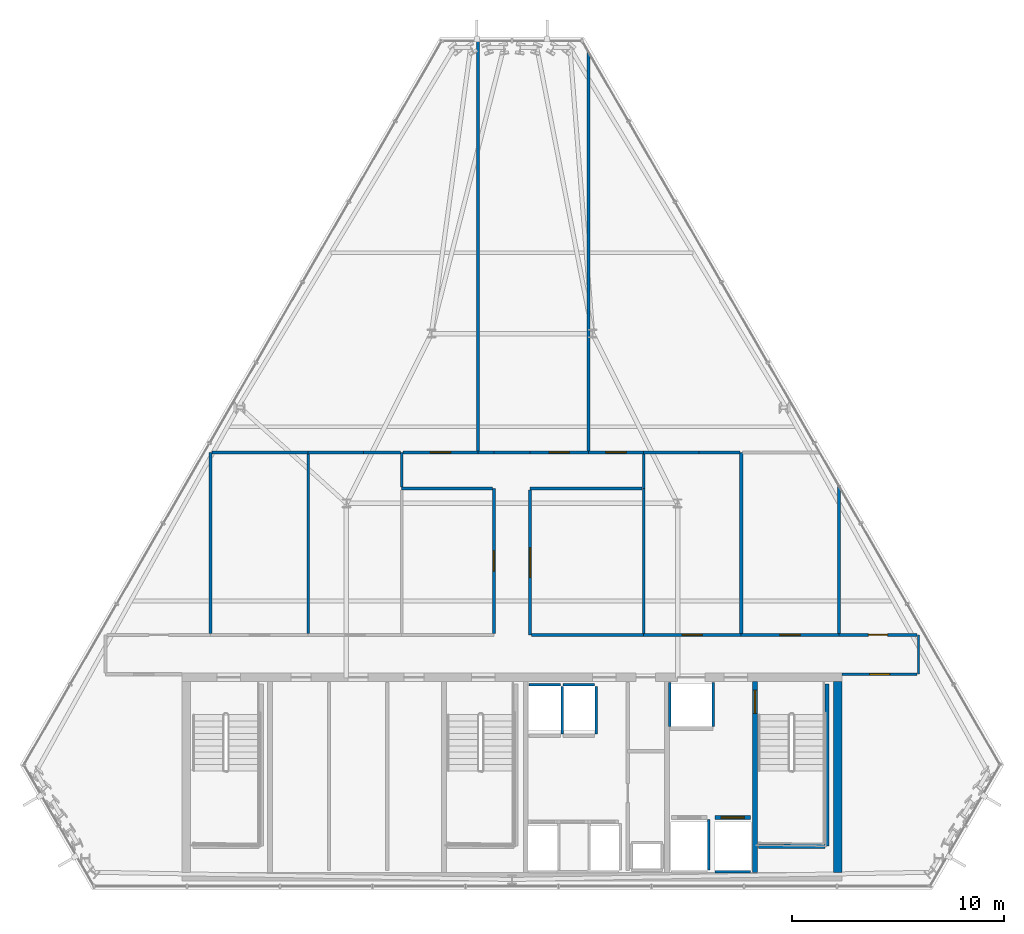
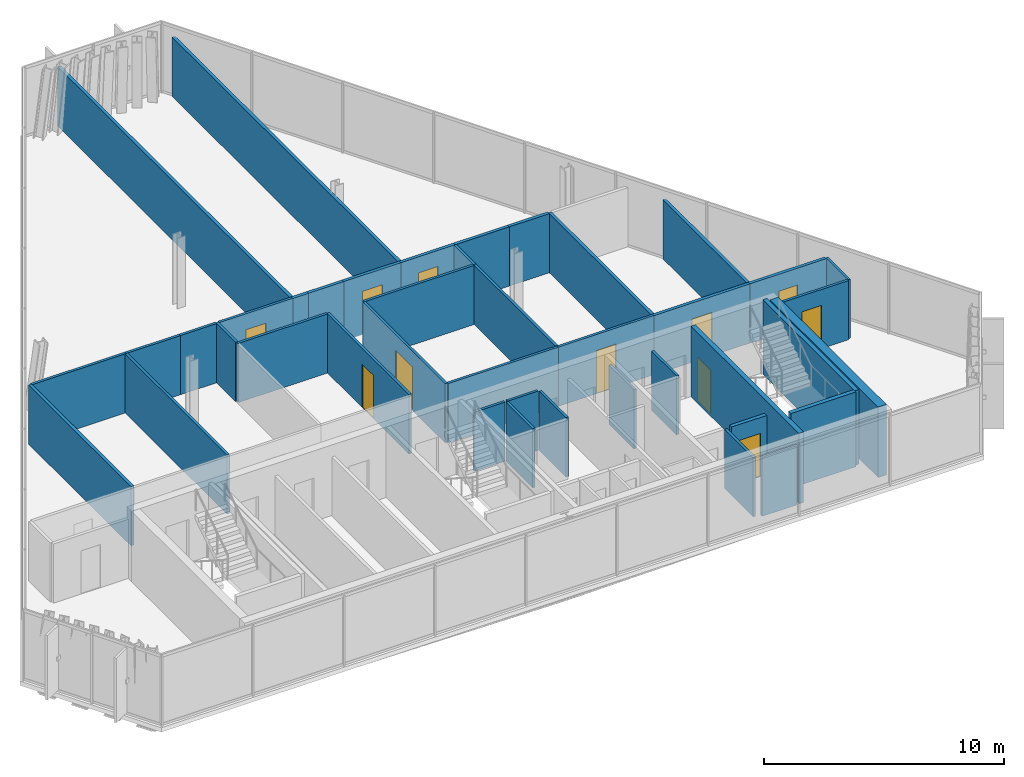
# One storey, part 25 of 29: 42 walls, 11 doors, 11 openings.
"""IFC4 building model written with IfcOpenShell, lengths in metres."""

from ifc_helpers import new_model, si_unit, direction, frame, frame_2d, origin, place, context, subcontext, project, spatial, rectangle, extrude, material, layer, layer_set, type_object, element, fill, save


model = new_model("IFC4")

# Units and contexts
model_context = context("Model", 3, precision=1e-05, world=origin(), true_north=direction((0.0, 1.0)))
body_context = subcontext(model_context, "Body", "Model", "MODEL_VIEW")
ifc_project = project(units=[si_unit("LENGTHUNIT", "METRE"), si_unit("AREAUNIT", "SQUARE_METRE"), si_unit("VOLUMEUNIT", "CUBIC_METRE"), si_unit("PLANEANGLEUNIT", "RADIAN"), si_unit("MASSUNIT", "GRAM", prefix="KILO")], contexts=[model_context])

# Site, building, storey
site_placement = place(None, origin())
site = spatial("IfcSite", under=ifc_project, at=site_placement, CompositionType="ELEMENT")
building_placement = place(site_placement, origin())
building = spatial("IfcBuilding", under=site, at=building_placement, Name="Ndaravel Arena Tower", CompositionType="ELEMENT")
storey_placement = place(building_placement, frame((0.0, 0.0, 248.39990234375)))
storey = spatial("IfcBuildingStorey", under=building, at=storey_placement, Name="L60", CompositionType="ELEMENT", Elevation=248.39990234375)

# Wall, opening, door
ifc_material_1 = material(Name="Concrete C50/60", Category="concrete")
ifc_layer_1 = layer(ifc_material_1, 0.219970703125)
ifc_layer_set_1 = layer_set([ifc_layer_1], Name="Concrete C50/60")
wall_type_1 = type_object("IfcWallType", Name="WALL-CORE-220", PredefinedType="SOLIDWALL", material=ifc_layer_set_1)
wall_1_placement = place(storey_placement, frame((53.449951171875, 5.800048828125, 0.0), z_axis=(0.0, 0.0, 1.0), x_axis=(0.0, 1.0, 0.0)))
wall_1 = element("IfcWall", 1, at=wall_1_placement, inside=storey, type_object=wall_type_1, Name="L60 Core Web Shear Wall 5", PredefinedType="SOLIDWALL", context=body_context, shape_type="SweptSolid", body=[
    extrude(rectangle(XDim=9.0, YDim=0.219970703125, at=frame_2d((4.5, 0.0))), origin(), (0.0, 0.0, 1.0), 3.580078125),
])
opening_1_placement = place(wall_1_placement, frame((7.5, 0.0, 0.0)))
opening_1 = element("IfcOpeningElement", 2, at=opening_1_placement, cuts=wall_1, Name="Opening FD-01", PredefinedType="OPENING", context=body_context, shape_type="SweptSolid", body=[
    extrude(rectangle(XDim=1.10009765625, YDim=2.199951171875, at=frame_2d((0.550048828125, 1.10009765625))), frame((0.0, 0.10986328125, 0.0), z_axis=(0.0, -1.0, 0.0), x_axis=(1.0, 0.0, 0.0)), (0.0, 0.0, 1.0), 0.219970703125),
])
ifc_material_2 = material(Name="Steel S355", Category="steel")
door_type_1 = type_object("IfcDoorType", Name="DT-01-STAIR-1100", OperationType="SINGLE_SWING_LEFT", PredefinedType="DOOR", material=ifc_material_2)
door_1_placement = place(opening_1_placement, origin())
door_1 = element("IfcDoor", 3, at=door_1_placement, inside=storey, type_object=door_type_1, Name="L60 Firefighting Lobby to ST-3 Door", OperationType="SINGLE_SWING_LEFT", OverallHeight=2.199951171875, OverallWidth=1.10009765625, PredefinedType="DOOR", context=body_context, shape_type="SweptSolid", body=[
    extrude(rectangle(XDim=1.10009765625, YDim=2.199951171875, at=frame_2d((0.550048828125, 1.10009765625))), frame((0.0, 0.02490234375, 0.0), z_axis=(0.0, -1.0, 0.0), x_axis=(1.0, 0.0, 0.0)), (0.0, 0.0, 1.0), 0.050048828125),
])
fill(opening_1, door_1)

# Walls
ifc_material_3 = material(Name="Concrete C50/60", Category="concrete")
ifc_layer_2 = layer(ifc_material_3, 0.39990234375)
ifc_layer_set_2 = layer_set([ifc_layer_2], Name="Concrete C50/60")
wall_type_2 = type_object("IfcWallType", Name="WALL-CORE-400", PredefinedType="SOLIDWALL", material=ifc_layer_set_2)
wall_2_placement = place(storey_placement, frame((57.35009765625, 5.800048828125, 0.0), z_axis=(0.0, 0.0, 1.0), x_axis=(0.0, 1.0, 0.0)))
element("IfcWall", 4, at=wall_2_placement, inside=storey, type_object=wall_type_2, Name="L60 Core East Shear Wall", PredefinedType="SOLIDWALL", context=body_context, shape_type="SweptSolid", body=[
    extrude(rectangle(XDim=9.0, YDim=0.39990234375, at=frame_2d((4.5, 0.0))), origin(), (0.0, 0.0, 1.0), 3.580078125),
])
ifc_material_4 = material(Name="Timber", Category="wood")
ifc_layer_3 = layer(ifc_material_4, 0.10009765625)
ifc_layer_set_3 = layer_set([ifc_layer_3], Name="Timber")
wall_type_3 = type_object("IfcWallType", Name="WALL-MOVABLE-100", PredefinedType="MOVABLE", material=ifc_layer_set_3)
wall_3_placement = place(storey_placement, frame((61.154052734375, 17.0, 0.0), z_axis=(0.0, 0.0, 1.0), x_axis=(0.0, -1.0, 0.0)))
element("IfcWall", 5, at=wall_3_placement, inside=storey, type_object=wall_type_3, Name="L60 Interior Partition 001", PredefinedType="MOVABLE", context=body_context, shape_type="SweptSolid", body=[
    extrude(rectangle(XDim=1.85009765625, YDim=0.10009765625, at=frame_2d((0.925048828125, 0.0))), origin(), (0.0, 0.0, 1.0), 3.010498046875),
])

# Wall, opening, door
ifc_material_5 = material(Name="Gypsum", Category="gypsum")
ifc_layer_4 = layer(ifc_material_5, 0.125)
ifc_layer_set_4 = layer_set([ifc_layer_4], Name="Gypsum")
wall_type_4 = type_object("IfcWallType", Name="WALL-PART-125", PredefinedType="PARTITIONING", material=ifc_layer_set_4)
wall_4_placement = place(storey_placement, frame((61.089111328125, 15.14990234375, 0.0), z_axis=(0.0, 0.0, 1.0), x_axis=(-1.0, 0.0, 0.0)))
wall_4 = element("IfcWall", 6, at=wall_4_placement, inside=storey, type_object=wall_type_4, Name="L60 Interior Partition 002", PredefinedType="PARTITIONING", context=body_context, shape_type="SweptSolid", body=[
    extrude(rectangle(XDim=3.5390625, YDim=0.125, at=frame_2d((1.76953125, 0.0))), origin(), (0.0, 0.0, 1.0), 3.010498046875),
])
opening_2_placement = place(wall_4_placement, frame((1.29443359375, 0.0, 0.0)))
opening_2 = element("IfcOpeningElement", 7, at=opening_2_placement, cuts=wall_4, Name="Opening ID-01", PredefinedType="OPENING", context=body_context, shape_type="SweptSolid", body=[
    extrude(rectangle(XDim=0.949951171875, YDim=2.199951171875, at=frame_2d((0.47509765625, 1.10009765625))), frame((0.0, 0.0625, 0.0), z_axis=(0.0, -1.0, 0.0), x_axis=(1.0, 0.0, 0.0)), (0.0, 0.0, 1.0), 0.125),
])
ifc_material_6 = material(Name="Timber", Category="wood")
door_type_2 = type_object("IfcDoorType", Name="DT-03-OFFICE-950", OperationType="SINGLE_SWING_LEFT", PredefinedType="DOOR", material=ifc_material_6)
door_2_placement = place(opening_2_placement, origin())
door_2 = element("IfcDoor", 8, at=door_2_placement, inside=storey, type_object=door_type_2, Name="L60 Quiet Reading Library Door", OperationType="SINGLE_SWING_RIGHT", OverallHeight=2.199951171875, OverallWidth=0.949951171875, PredefinedType="DOOR", context=body_context, shape_type="SweptSolid", body=[
    extrude(rectangle(XDim=0.949951171875, YDim=2.199951171875, at=frame_2d((0.47509765625, 1.10009765625))), frame((0.0, 0.02490234375, 0.0), z_axis=(0.0, -1.0, 0.0), x_axis=(1.0, 0.0, 0.0)), (0.0, 0.0, 1.0), 0.050048828125),
])
fill(opening_2, door_2)

wall_5_placement = place(storey_placement, frame((41.14990234375, 17.06494140625, 0.0), z_axis=(0.0, 0.0, 1.0), x_axis=(0.0, 1.0, 0.0)))
wall_5 = element("IfcWall", 9, at=wall_5_placement, inside=storey, type_object=wall_type_4, Name="L60 Interior Partition 009", PredefinedType="PARTITIONING", context=body_context, shape_type="SweptSolid", body=[
    extrude(rectangle(XDim=6.8349609375, YDim=0.125, at=frame_2d((3.41748046875, 0.0))), origin(), (0.0, 0.0, 1.0), 3.010498046875),
])
opening_3_placement = place(wall_5_placement, frame((2.9423828125, 0.0, 0.0)))
opening_3 = element("IfcOpeningElement", 10, at=opening_3_placement, cuts=wall_5, Name="Opening ID-01", PredefinedType="OPENING", context=body_context, shape_type="SweptSolid", body=[
    extrude(rectangle(XDim=0.949951171875, YDim=2.199951171875, at=frame_2d((0.47509765625, 1.10009765625))), frame((0.0, 0.0625, 0.0), z_axis=(0.0, -1.0, 0.0), x_axis=(1.0, 0.0, 0.0)), (0.0, 0.0, 1.0), 0.125),
])
door_3_placement = place(opening_3_placement, origin())
door_3 = element("IfcDoor", 11, at=door_3_placement, inside=storey, type_object=door_type_2, Name="L60 Open Plan Workplace Door", OperationType="SINGLE_SWING_LEFT", OverallHeight=2.199951171875, OverallWidth=0.949951171875, PredefinedType="DOOR", context=body_context, shape_type="SweptSolid", body=[
    extrude(rectangle(XDim=0.949951171875, YDim=2.199951171875, at=frame_2d((0.47509765625, 1.10009765625))), frame((0.0, 0.02490234375, 0.0), z_axis=(0.0, -1.0, 0.0), x_axis=(1.0, 0.0, 0.0)), (0.0, 0.0, 1.0), 0.050048828125),
])
fill(opening_3, door_3)

# Walls
wall_6_placement = place(storey_placement, frame((41.0849609375, 23.89990234375, 0.0), z_axis=(0.0, 0.0, 1.0), x_axis=(-1.0, 0.0, 0.0)))
element("IfcWall", 12, at=wall_6_placement, inside=storey, type_object=wall_type_4, Name="L60 Interior Partition 010", PredefinedType="PARTITIONING", context=body_context, shape_type="SweptSolid", body=[
    extrude(rectangle(XDim=4.284912109375, YDim=0.125, at=frame_2d((2.142578125, 0.0))), origin(), (0.0, 0.0, 1.0), 3.010498046875),
])
wall_7_placement = place(storey_placement, frame((36.800048828125, 23.965087890625, 0.0), z_axis=(0.0, 0.0, 1.0), x_axis=(0.0, 1.0, 0.0)))
element("IfcWall", 13, at=wall_7_placement, inside=storey, type_object=wall_type_4, Name="L60 Interior Partition 011", PredefinedType="PARTITIONING", context=body_context, shape_type="SweptSolid", body=[
    extrude(rectangle(XDim=1.635009765625, YDim=0.125, at=frame_2d((0.8173828125, 0.0))), origin(), (0.0, 0.0, 1.0), 3.010498046875),
])

# Wall, opening, door
wall_8_placement = place(storey_placement, frame((36.864990234375, 25.60009765625, 0.0), z_axis=(0.0, 0.0, 1.0), x_axis=(1.0, 0.0, 0.0)))
wall_8 = element("IfcWall", 14, at=wall_8_placement, inside=storey, type_object=wall_type_4, Name="L60 Interior Partition 012", PredefinedType="PARTITIONING", context=body_context, shape_type="SweptSolid", body=[
    extrude(rectangle(XDim=3.534912109375, YDim=0.125, at=frame_2d((1.767578125, 0.0))), origin(), (0.0, 0.0, 1.0), 3.010498046875),
])
opening_4_placement = place(wall_8_placement, frame((1.29248046875, 0.0, 0.0)))
opening_4 = element("IfcOpeningElement", 15, at=opening_4_placement, cuts=wall_8, Name="Opening ID-01", PredefinedType="OPENING", context=body_context, shape_type="SweptSolid", body=[
    extrude(rectangle(XDim=0.949951171875, YDim=2.199951171875, at=frame_2d((0.47509765625, 1.10009765625))), frame((0.0, 0.0625, 0.0), z_axis=(0.0, -1.0, 0.0), x_axis=(1.0, 0.0, 0.0)), (0.0, 0.0, 1.0), 0.125),
])
door_4_placement = place(opening_4_placement, origin())
door_4 = element("IfcDoor", 16, at=door_4_placement, inside=storey, type_object=door_type_2, Name="L60 Design Workshop 4 Door", OperationType="SINGLE_SWING_RIGHT", OverallHeight=2.199951171875, OverallWidth=0.949951171875, PredefinedType="DOOR", context=body_context, shape_type="SweptSolid", body=[
    extrude(rectangle(XDim=0.949951171875, YDim=2.199951171875, at=frame_2d((0.47509765625, 1.10009765625))), frame((0.0, 0.02490234375, 0.0), z_axis=(0.0, -1.0, 0.0), x_axis=(1.0, 0.0, 0.0)), (0.0, 0.0, 1.0), 0.050048828125),
])
fill(opening_4, door_4)

# Walls
wall_9_placement = place(storey_placement, frame((48.199951171875, 25.534912109375, 0.0), z_axis=(0.0, 0.0, 1.0), x_axis=(0.0, -1.0, 0.0)))
element("IfcWall", 17, at=wall_9_placement, inside=storey, type_object=wall_type_4, Name="L60 Interior Partition 017", PredefinedType="PARTITIONING", context=body_context, shape_type="SweptSolid", body=[
    extrude(rectangle(XDim=1.635009765625, YDim=0.125, at=frame_2d((0.8173828125, 0.0))), origin(), (0.0, 0.0, 1.0), 3.010498046875),
])
wall_10_placement = place(storey_placement, frame((48.135009765625, 23.89990234375, 0.0), z_axis=(0.0, 0.0, 1.0), x_axis=(-1.0, 0.0, 0.0)))
element("IfcWall", 18, at=wall_10_placement, inside=storey, type_object=wall_type_4, Name="L60 Interior Partition 018", PredefinedType="PARTITIONING", context=body_context, shape_type="SweptSolid", body=[
    extrude(rectangle(XDim=5.284912109375, YDim=0.125, at=frame_2d((2.642578125, 0.0))), origin(), (0.0, 0.0, 1.0), 3.010498046875),
])

# Wall, opening, door
wall_11_placement = place(storey_placement, frame((42.85009765625, 23.8349609375, 0.0), z_axis=(0.0, 0.0, 1.0), x_axis=(0.0, -1.0, 0.0)))
wall_11 = element("IfcWall", 19, at=wall_11_placement, inside=storey, type_object=wall_type_4, Name="L60 Interior Partition 019", PredefinedType="PARTITIONING", context=body_context, shape_type="SweptSolid", body=[
    extrude(rectangle(XDim=6.8349609375, YDim=0.125, at=frame_2d((3.41748046875, 0.0))), origin(), (0.0, 0.0, 1.0), 3.010498046875),
])
opening_5_placement = place(wall_11_placement, frame((2.717529296875, 0.0, 0.0)))
opening_5 = element("IfcOpeningElement", 20, at=opening_5_placement, cuts=wall_11, Name="Opening ID-02", PredefinedType="OPENING", context=body_context, shape_type="SweptSolid", body=[
    extrude(rectangle(XDim=1.39990234375, YDim=2.199951171875, at=frame_2d((0.699951171875, 1.10009765625))), frame((0.0, 0.0625, 0.0), z_axis=(0.0, -1.0, 0.0), x_axis=(1.0, 0.0, 0.0)), (0.0, 0.0, 1.0), 0.125),
])
ifc_material_7 = material(Name="Timber", Category="wood")
door_type_3 = type_object("IfcDoorType", Name="DT-04-SUITE-1400", OperationType="DOUBLE_DOOR_SINGLE_SWING", PredefinedType="DOOR", material=ifc_material_7)
door_5_placement = place(opening_5_placement, origin())
door_5 = element("IfcDoor", 21, at=door_5_placement, inside=storey, type_object=door_type_3, Name="L60 Visitor Reception Desk Door", OperationType="SINGLE_SWING_RIGHT", OverallHeight=2.199951171875, OverallWidth=1.39990234375, PredefinedType="DOOR", context=body_context, shape_type="SweptSolid", body=[
    extrude(rectangle(XDim=1.39990234375, YDim=2.199951171875, at=frame_2d((0.699951171875, 1.10009765625))), frame((0.0, 0.02490234375, 0.0), z_axis=(0.0, -1.0, 0.0), x_axis=(1.0, 0.0, 0.0)), (0.0, 0.0, 1.0), 0.050048828125),
])
fill(opening_5, door_5)

# Wall
wall_12_placement = place(storey_placement, frame((42.9150390625, 17.0, 0.0), z_axis=(0.0, 0.0, 1.0), x_axis=(1.0, 0.0, 0.0)))
element("IfcWall", 22, at=wall_12_placement, inside=storey, type_object=wall_type_4, Name="L60 Interior Partition 020", PredefinedType="PARTITIONING", context=body_context, shape_type="SweptSolid", body=[
    extrude(rectangle(XDim=5.284912109375, YDim=0.125, at=frame_2d((2.642578125, 0.0))), origin(), (0.0, 0.0, 1.0), 3.010498046875),
])

# Wall, opening, door
wall_13_placement = place(storey_placement, frame((48.199951171875, 17.0, 0.0), z_axis=(0.0, 0.0, 1.0), x_axis=(1.0, 0.0, 0.0)))
wall_13 = element("IfcWall", 23, at=wall_13_placement, inside=storey, type_object=wall_type_4, Name="L60 Interior Partition 021", PredefinedType="PARTITIONING", context=body_context, shape_type="SweptSolid", body=[
    extrude(rectangle(XDim=4.60009765625, YDim=0.125, at=frame_2d((2.300048828125, 0.0))), origin(), (0.0, 0.0, 1.0), 3.010498046875),
])
opening_6_placement = place(wall_13_placement, frame((1.824951171875, 0.0, 0.0)))
opening_6 = element("IfcOpeningElement", 24, at=opening_6_placement, cuts=wall_13, Name="Opening ID-01", PredefinedType="OPENING", context=body_context, shape_type="SweptSolid", body=[
    extrude(rectangle(XDim=0.949951171875, YDim=2.199951171875, at=frame_2d((0.47509765625, 1.10009765625))), frame((0.0, 0.0625, 0.0), z_axis=(0.0, -1.0, 0.0), x_axis=(1.0, 0.0, 0.0)), (0.0, 0.0, 1.0), 0.125),
])
door_6_placement = place(opening_6_placement, origin())
door_6 = element("IfcDoor", 25, at=door_6_placement, inside=storey, type_object=door_type_2, Name="L60 Media Cinema Room 3 Door", OperationType="SINGLE_SWING_RIGHT", OverallHeight=2.199951171875, OverallWidth=0.949951171875, PredefinedType="DOOR", context=body_context, shape_type="SweptSolid", body=[
    extrude(rectangle(XDim=0.949951171875, YDim=2.199951171875, at=frame_2d((0.47509765625, 1.10009765625))), frame((0.0, 0.02490234375, 0.0), z_axis=(0.0, -1.0, 0.0), x_axis=(1.0, 0.0, 0.0)), (0.0, 0.0, 1.0), 0.050048828125),
])
fill(opening_6, door_6)

# Walls
wall_14_placement = place(storey_placement, frame((48.199951171875, 23.89990234375, 0.0), z_axis=(0.0, 0.0, 1.0), x_axis=(0.0, -1.0, 0.0)))
element("IfcWall", 26, at=wall_14_placement, inside=storey, type_object=wall_type_4, Name="L60 Interior Partition 027", PredefinedType="PARTITIONING", context=body_context, shape_type="SweptSolid", body=[
    extrude(rectangle(XDim=6.8349609375, YDim=0.125, at=frame_2d((3.41748046875, 0.0))), origin(), (0.0, 0.0, 1.0), 3.010498046875),
])
wall_15_placement = place(storey_placement, frame((27.864990234375, 25.60009765625, 0.0), z_axis=(0.0, 0.0, 1.0), x_axis=(1.0, 0.0, 0.0)))
element("IfcWall", 27, at=wall_15_placement, inside=storey, type_object=wall_type_4, Name="L60 Interior Partition 030", PredefinedType="PARTITIONING", context=body_context, shape_type="SweptSolid", body=[
    extrude(rectangle(XDim=4.534912109375, YDim=0.125, at=frame_2d((2.267578125, 0.0))), origin(), (0.0, 0.0, 1.0), 3.010498046875),
])
wall_16_placement = place(storey_placement, frame((32.39990234375, 25.534912109375, 0.0), z_axis=(0.0, 0.0, 1.0), x_axis=(0.0, -1.0, 0.0)))
element("IfcWall", 28, at=wall_16_placement, inside=storey, type_object=wall_type_4, Name="L60 Interior Partition 031", PredefinedType="PARTITIONING", context=body_context, shape_type="SweptSolid", body=[
    extrude(rectangle(XDim=8.469970703125, YDim=0.125, at=frame_2d((4.23486328125, 0.0))), origin(), (0.0, 0.0, 1.0), 3.010498046875),
])
wall_17_placement = place(storey_placement, frame((32.39990234375, 25.60009765625, 0.0), z_axis=(0.0, 0.0, 1.0), x_axis=(1.0, 0.0, 0.0)))
element("IfcWall", 29, at=wall_17_placement, inside=storey, type_object=wall_type_4, Name="L60 Interior Partition 032", PredefinedType="PARTITIONING", context=body_context, shape_type="SweptSolid", body=[
    extrude(rectangle(XDim=2.60009765625, YDim=0.125, at=frame_2d((1.300048828125, 0.0))), origin(), (0.0, 0.0, 1.0), 3.010498046875),
])
wall_18_placement = place(storey_placement, frame((35.0, 25.60009765625, 0.0), z_axis=(0.0, 0.0, 1.0), x_axis=(1.0, 0.0, 0.0)))
element("IfcWall", 30, at=wall_18_placement, inside=storey, type_object=wall_type_4, Name="L60 Interior Partition 033", PredefinedType="PARTITIONING", context=body_context, shape_type="SweptSolid", body=[
    extrude(rectangle(XDim=1.735107421875, YDim=0.125, at=frame_2d((0.86767578125, 0.0))), origin(), (0.0, 0.0, 1.0), 3.010498046875),
])
ifc_material_8 = material(Name="Concrete C40/50", Category="concrete")
ifc_layer_5 = layer(ifc_material_8, 0.1201171875)
ifc_layer_set_5 = layer_set([ifc_layer_5], Name="Concrete C40/50")
wall_type_5 = type_object("IfcWallType", Name="WALL-SHAFT-120", PredefinedType="SOLIDWALL", material=ifc_layer_set_5)
wall_19_placement = place(storey_placement, frame((42.804931640625, 14.659912109375, 0.0), z_axis=(0.0, 0.0, 1.0), x_axis=(1.0, 0.0, 0.0)))
element("IfcWall", 31, at=wall_19_placement, inside=storey, type_object=wall_type_5, Name="L60 PL-OBS1 Shaft Rear Wall", PredefinedType="SOLIDWALL", context=body_context, shape_type="SweptSolid", body=[
    extrude(rectangle(XDim=1.489990234375, YDim=0.1201171875, at=frame_2d((0.7451171875, 0.0))), origin(), (0.0, 0.0, 1.0), 3.010498046875),
])
wall_20_placement = place(storey_placement, frame((44.375, 12.340087890625, 0.0), z_axis=(0.0, 0.0, 1.0), x_axis=(0.0, 1.0, 0.0)))
element("IfcWall", 32, at=wall_20_placement, inside=storey, type_object=wall_type_5, Name="L60 PL-OBS1 Shaft Side R Wall", PredefinedType="SOLIDWALL", context=body_context, shape_type="SweptSolid", body=[
    extrude(rectangle(XDim=2.22998046875, YDim=0.1201171875, at=frame_2d((1.114990234375, 0.0))), origin(), (0.0, 0.0, 1.0), 3.010498046875),
])
wall_21_placement = place(storey_placement, frame((44.405029296875, 14.659912109375, 0.0), z_axis=(0.0, 0.0, 1.0), x_axis=(1.0, 0.0, 0.0)))
element("IfcWall", 33, at=wall_21_placement, inside=storey, type_object=wall_type_5, Name="L60 PL-OBS2 Shaft Rear Wall", PredefinedType="SOLIDWALL", context=body_context, shape_type="SweptSolid", body=[
    extrude(rectangle(XDim=1.489990234375, YDim=0.1201171875, at=frame_2d((0.7451171875, 0.0))), origin(), (0.0, 0.0, 1.0), 3.010498046875),
])
wall_22_placement = place(storey_placement, frame((45.97509765625, 12.340087890625, 0.0), z_axis=(0.0, 0.0, 1.0), x_axis=(0.0, 1.0, 0.0)))
element("IfcWall", 34, at=wall_22_placement, inside=storey, type_object=wall_type_5, Name="L60 PL-OBS2 Shaft Side R Wall", PredefinedType="SOLIDWALL", context=body_context, shape_type="SweptSolid", body=[
    extrude(rectangle(XDim=2.22998046875, YDim=0.1201171875, at=frame_2d((1.114990234375, 0.0))), origin(), (0.0, 0.0, 1.0), 3.010498046875),
])
wall_23_placement = place(storey_placement, frame((51.27490234375, 5.929931640625, 0.0), z_axis=(0.0, 0.0, 1.0), x_axis=(0.0, 1.0, 0.0)))
element("IfcWall", 35, at=wall_23_placement, inside=storey, type_object=wall_type_5, Name="L60 FFL-1 Shaft Side R Wall", PredefinedType="SOLIDWALL", context=body_context, shape_type="SweptSolid", body=[
    extrude(rectangle(XDim=2.380126953125, YDim=0.1201171875, at=frame_2d((1.18994140625, 0.0))), origin(), (0.0, 0.0, 1.0), 3.010498046875),
])
wall_24_placement = place(storey_placement, frame((51.554931640625, 5.840087890625, 0.0), z_axis=(0.0, 0.0, 1.0), x_axis=(1.0, 0.0, 0.0)))
element("IfcWall", 36, at=wall_24_placement, inside=storey, type_object=wall_type_5, Name="L60 FFL-2 Shaft Rear Wall", PredefinedType="SOLIDWALL", context=body_context, shape_type="SweptSolid", body=[
    extrude(rectangle(XDim=1.690185546875, YDim=0.1201171875, at=frame_2d((0.84521484375, 0.0))), origin(), (0.0, 0.0, 1.0), 3.010498046875),
])
for number, where, z_axis, x_axis, name in (
    (37, (49.43994140625, 12.68994140625, 0.0), (0.0, 0.0, 1.0), (0.0, 1.0, 0.0), "L60 SVL-1 Shaft W Wall"),
    (38, (51.47998046875, 12.68994140625, 0.0), (0.0, 0.0, 1.0), (0.0, 1.0, 0.0), "L60 SVL-1 Shaft E Wall"),
):
    element("IfcWall", number, at=place(storey_placement, frame(where, z_axis=z_axis, x_axis=x_axis)), inside=storey, type_object=wall_type_5, Name=name, PredefinedType="SOLIDWALL", context=body_context, shape_type="SweptSolid", body=[
        extrude(rectangle(XDim=2.070068359375, YDim=0.1201171875, at=frame_2d((1.03515625, 0.0))), origin(), (0.0, 0.0, 1.0), 3.010498046875),
    ])
ifc_material_9 = material(Name="Concrete C40/50", Category="concrete")
ifc_layer_6 = layer(ifc_material_9, 0.199951171875)
ifc_layer_set_6 = layer_set([ifc_layer_6], Name="Concrete C40/50")
wall_type_6 = type_object("IfcWallType", Name="WALL-SHAFT-200", PredefinedType="SOLIDWALL", material=ifc_layer_set_6)
wall_25_placement = place(storey_placement, frame((56.840087890625, 14.699951171875, 0.0), z_axis=(0.0, 0.0, 1.0), x_axis=(0.0, -1.0, 0.0)))
element("IfcWall", 39, at=wall_25_placement, inside=storey, type_object=wall_type_6, Name="L60 ST-3 Structural Shaft Wall Right", PredefinedType="SOLIDWALL", context=body_context, shape_type="SweptSolid", body=[
    extrude(rectangle(XDim=7.64990234375, YDim=0.199951171875, at=frame_2d((3.824951171875, 0.0))), origin(), (0.0, 0.0, 1.0), 3.800048828125),
])
wall_26_placement = place(storey_placement, frame((53.6201171875, 7.050048828125, 0.0), z_axis=(0.0, 0.0, 1.0), x_axis=(1.0, 0.0, 0.0)))
element("IfcWall", 40, at=wall_26_placement, inside=storey, type_object=wall_type_6, Name="L60 ST-3 Structural Shaft Wall Far", PredefinedType="SOLIDWALL", context=body_context, shape_type="SweptSolid", body=[
    extrude(rectangle(XDim=3.114990234375, YDim=0.199951171875, at=frame_2d((1.5576171875, 0.0))), origin(), (0.0, 0.0, 1.0), 3.800048828125),
])

# Wall, opening, door
wall_27_placement = place(storey_placement, frame((51.554931640625, 8.39990234375, 0.0), z_axis=(0.0, 0.0, 1.0), x_axis=(1.0, 0.0, 0.0)))
wall_27 = element("IfcWall", 41, at=wall_27_placement, inside=storey, type_object=wall_type_6, Name="L60 FFL-2 Shaft Landing Wall", PredefinedType="SOLIDWALL", context=body_context, shape_type="SweptSolid", body=[
    extrude(rectangle(XDim=1.690185546875, YDim=0.179931640625, at=frame_2d((0.84521484375, 0.0))), origin(), (0.0, 0.0, 1.0), 3.010498046875),
])
opening_7_placement = place(wall_27_placement, frame((0.294921875, 0.0, 0.0)))
opening_7 = element("IfcOpeningElement", 42, at=opening_7_placement, cuts=wall_27, Name="Opening LD-01", PredefinedType="OPENING", context=body_context, shape_type="SweptSolid", body=[
    extrude(rectangle(XDim=1.10009765625, YDim=2.199951171875, at=frame_2d((0.550048828125, 1.10009765625))), frame((0.0, 0.08984375, 0.0), z_axis=(0.0, -1.0, 0.0), x_axis=(1.0, 0.0, 0.0)), (0.0, 0.0, 1.0), 0.179931640625),
])
ifc_material_10 = material(Name="Steel S355", Category="steel")
door_type_4 = type_object("IfcDoorType", Name="DT-06-LIFT-1100", OperationType="SLIDING_TO_LEFT", PredefinedType="DOOR", material=ifc_material_10)
door_7_placement = place(opening_7_placement, origin())
door_7 = element("IfcDoor", 43, at=door_7_placement, inside=storey, type_object=door_type_4, Name="L60 Lift FFL-2 Sliding Landing Door", OperationType="SLIDING_TO_LEFT", OverallHeight=2.199951171875, OverallWidth=1.10009765625, PredefinedType="DOOR", context=body_context, shape_type="SweptSolid", body=[
    extrude(rectangle(XDim=1.10009765625, YDim=2.199951171875, at=frame_2d((0.550048828125, 1.10009765625))), frame((0.0, 0.02490234375, 0.0), z_axis=(0.0, -1.0, 0.0), x_axis=(1.0, 0.0, 0.0)), (0.0, 0.0, 1.0), 0.050048828125),
])
fill(opening_7, door_7)

# Walls
ifc_material_11 = material(Name="Masonry", Category="masonry")
ifc_layer_7 = layer(ifc_material_11, 0.14990234375)
ifc_layer_set_7 = layer_set([ifc_layer_7], Name="Masonry")
wall_type_7 = type_object("IfcWallType", Name="WALL-WET-150", PredefinedType="PARTITIONING", material=ifc_layer_set_7)
wall_28_placement = place(storey_placement, frame((40.39990234375, 25.60009765625, 0.0), z_axis=(0.0, 0.0, 1.0), x_axis=(1.0, 0.0, 0.0)))
element("IfcWall", 44, at=wall_28_placement, inside=storey, type_object=wall_type_7, Name="L60 Interior Partition 013", PredefinedType="PARTITIONING", context=body_context, shape_type="SweptSolid", body=[
    extrude(rectangle(XDim=0.75, YDim=0.14990234375, at=frame_2d((0.375, 0.0))), origin(), (0.0, 0.0, 1.0), 3.010498046875),
])
wall_29_placement = place(storey_placement, frame((41.14990234375, 25.60009765625, 0.0), z_axis=(0.0, 0.0, 1.0), x_axis=(1.0, 0.0, 0.0)))
element("IfcWall", 45, at=wall_29_placement, inside=storey, type_object=wall_type_7, Name="L60 Interior Partition 014", PredefinedType="PARTITIONING", context=body_context, shape_type="SweptSolid", body=[
    extrude(rectangle(XDim=1.7001953125, YDim=0.14990234375, at=frame_2d((0.85009765625, 0.0))), origin(), (0.0, 0.0, 1.0), 3.010498046875),
])

# Wall, opening, door
wall_30_placement = place(storey_placement, frame((42.85009765625, 25.60009765625, 0.0), z_axis=(0.0, 0.0, 1.0), x_axis=(1.0, 0.0, 0.0)))
wall_30 = element("IfcWall", 46, at=wall_30_placement, inside=storey, type_object=wall_type_7, Name="L60 Interior Partition 015", PredefinedType="PARTITIONING", context=body_context, shape_type="SweptSolid", body=[
    extrude(rectangle(XDim=2.75, YDim=0.14990234375, at=frame_2d((1.375, 0.0))), origin(), (0.0, 0.0, 1.0), 3.010498046875),
])
opening_8_placement = place(wall_30_placement, frame((0.89990234375, 0.0, 0.0)))
opening_8 = element("IfcOpeningElement", 47, at=opening_8_placement, cuts=wall_30, Name="Opening FD-03", PredefinedType="OPENING", context=body_context, shape_type="SweptSolid", body=[
    extrude(rectangle(XDim=0.949951171875, YDim=2.199951171875, at=frame_2d((0.47509765625, 1.10009765625))), frame((0.0, 0.074951171875, 0.0), z_axis=(0.0, -1.0, 0.0), x_axis=(1.0, 0.0, 0.0)), (0.0, 0.0, 1.0), 0.14990234375),
])
ifc_material_12 = material(Name="Steel S355", Category="steel")
door_type_5 = type_object("IfcDoorType", Name="DT-11-CORE-950", OperationType="SINGLE_SWING_LEFT", PredefinedType="DOOR", material=ifc_material_12)
door_8_placement = place(opening_8_placement, origin())
door_8 = element("IfcDoor", 48, at=door_8_placement, inside=storey, type_object=door_type_5, Name="L60 Staff Espresso Kitchen 5 Door", OperationType="SINGLE_SWING_LEFT", OverallHeight=2.199951171875, OverallWidth=0.949951171875, PredefinedType="DOOR", context=body_context, shape_type="SweptSolid", body=[
    extrude(rectangle(XDim=0.949951171875, YDim=2.199951171875, at=frame_2d((0.47509765625, 1.10009765625))), frame((0.0, 0.02490234375, 0.0), z_axis=(0.0, -1.0, 0.0), x_axis=(1.0, 0.0, 0.0)), (0.0, 0.0, 1.0), 0.050048828125),
])
fill(opening_8, door_8)

wall_31_placement = place(storey_placement, frame((45.60009765625, 25.60009765625, 0.0), z_axis=(0.0, 0.0, 1.0), x_axis=(1.0, 0.0, 0.0)))
wall_31 = element("IfcWall", 49, at=wall_31_placement, inside=storey, type_object=wall_type_7, Name="L60 Interior Partition 016", PredefinedType="PARTITIONING", context=body_context, shape_type="SweptSolid", body=[
    extrude(rectangle(XDim=2.599853515625, YDim=0.14990234375, at=frame_2d((1.2998046875, 0.0))), origin(), (0.0, 0.0, 1.0), 3.010498046875),
])
opening_9_placement = place(wall_31_placement, frame((0.824951171875, 0.0, 0.0)))
opening_9 = element("IfcOpeningElement", 50, at=opening_9_placement, cuts=wall_31, Name="Opening FD-03", PredefinedType="OPENING", context=body_context, shape_type="SweptSolid", body=[
    extrude(rectangle(XDim=0.949951171875, YDim=2.199951171875, at=frame_2d((0.47509765625, 1.10009765625))), frame((0.0, 0.074951171875, 0.0), z_axis=(0.0, -1.0, 0.0), x_axis=(1.0, 0.0, 0.0)), (0.0, 0.0, 1.0), 0.14990234375),
])
door_9_placement = place(opening_9_placement, origin())
door_9 = element("IfcDoor", 51, at=door_9_placement, inside=storey, type_object=door_type_5, Name="L60 Floor Servery Kitchen 4 Door", OperationType="SINGLE_SWING_LEFT", OverallHeight=2.199951171875, OverallWidth=0.949951171875, PredefinedType="DOOR", context=body_context, shape_type="SweptSolid", body=[
    extrude(rectangle(XDim=0.949951171875, YDim=2.199951171875, at=frame_2d((0.47509765625, 1.10009765625))), frame((0.0, 0.02490234375, 0.0), z_axis=(0.0, -1.0, 0.0), x_axis=(1.0, 0.0, 0.0)), (0.0, 0.0, 1.0), 0.050048828125),
])
fill(opening_9, door_9)

wall_32_placement = place(storey_placement, frame((52.800048828125, 17.0, 0.0), z_axis=(0.0, 0.0, 1.0), x_axis=(1.0, 0.0, 0.0)))
wall_32 = element("IfcWall", 52, at=wall_32_placement, inside=storey, type_object=wall_type_7, Name="L60 Interior Partition 022", PredefinedType="PARTITIONING", context=body_context, shape_type="SweptSolid", body=[
    extrude(rectangle(XDim=4.599853515625, YDim=0.14990234375, at=frame_2d((2.2998046875, 0.0))), origin(), (0.0, 0.0, 1.0), 3.010498046875),
])
opening_10_placement = place(wall_32_placement, frame((1.824951171875, 0.0, 0.0)))
opening_10 = element("IfcOpeningElement", 53, at=opening_10_placement, cuts=wall_32, Name="Opening FD-03", PredefinedType="OPENING", context=body_context, shape_type="SweptSolid", body=[
    extrude(rectangle(XDim=0.949951171875, YDim=2.199951171875, at=frame_2d((0.47509765625, 1.10009765625))), frame((0.0, 0.074951171875, 0.0), z_axis=(0.0, -1.0, 0.0), x_axis=(1.0, 0.0, 0.0)), (0.0, 0.0, 1.0), 0.14990234375),
])
door_10_placement = place(opening_10_placement, origin())
door_10 = element("IfcDoor", 54, at=door_10_placement, inside=storey, type_object=door_type_5, Name="L60 Catering Pantry 2 Door", OperationType="SINGLE_SWING_LEFT", OverallHeight=2.199951171875, OverallWidth=0.949951171875, PredefinedType="DOOR", context=body_context, shape_type="SweptSolid", body=[
    extrude(rectangle(XDim=0.949951171875, YDim=2.199951171875, at=frame_2d((0.47509765625, 1.10009765625))), frame((0.0, 0.02490234375, 0.0), z_axis=(0.0, -1.0, 0.0), x_axis=(1.0, 0.0, 0.0)), (0.0, 0.0, 1.0), 0.050048828125),
])
fill(opening_10, door_10)

wall_33_placement = place(storey_placement, frame((57.39990234375, 17.0, 0.0), z_axis=(0.0, 0.0, 1.0), x_axis=(1.0, 0.0, 0.0)))
wall_33 = element("IfcWall", 55, at=wall_33_placement, inside=storey, type_object=wall_type_7, Name="L60 Interior Partition 023", PredefinedType="PARTITIONING", context=body_context, shape_type="SweptSolid", body=[
    extrude(rectangle(XDim=3.689208984375, YDim=0.14990234375, at=frame_2d((1.8447265625, 0.0))), origin(), (0.0, 0.0, 1.0), 3.010498046875),
])
opening_11_placement = place(wall_33_placement, frame((1.39453125, 0.0, 0.0)))
opening_11 = element("IfcOpeningElement", 56, at=opening_11_placement, cuts=wall_33, Name="Opening WD-01", PredefinedType="OPENING", context=body_context, shape_type="SweptSolid", body=[
    extrude(rectangle(XDim=0.89990234375, YDim=2.14990234375, at=frame_2d((0.449951171875, 1.074951171875))), frame((0.0, 0.074951171875, 0.0), z_axis=(0.0, -1.0, 0.0), x_axis=(1.0, 0.0, 0.0)), (0.0, 0.0, 1.0), 0.14990234375),
])
ifc_material_13 = material(Name="Timber", Category="wood")
door_type_6 = type_object("IfcDoorType", Name="DT-05-WC-900", OperationType="SINGLE_SWING_LEFT", PredefinedType="DOOR", material=ifc_material_13)
door_11_placement = place(opening_11_placement, origin())
door_11 = element("IfcDoor", 57, at=door_11_placement, inside=storey, type_object=door_type_6, Name="L60 Male Staff & Visitor Restroom Door", OperationType="SINGLE_SWING_LEFT", OverallHeight=2.14990234375, OverallWidth=0.89990234375, PredefinedType="DOOR", context=body_context, shape_type="SweptSolid", body=[
    extrude(rectangle(XDim=0.89990234375, YDim=2.14990234375, at=frame_2d((0.449951171875, 1.074951171875))), frame((0.0, 0.02490234375, 0.0), z_axis=(0.0, -1.0, 0.0), x_axis=(1.0, 0.0, 0.0)), (0.0, 0.0, 1.0), 0.050048828125),
])
fill(opening_11, door_11)

# Walls
wall_34_placement = place(storey_placement, frame((57.39990234375, 17.06494140625, 0.0), z_axis=(0.0, 0.0, 1.0), x_axis=(0.0, 1.0, 0.0)))
element("IfcWall", 58, at=wall_34_placement, inside=storey, type_object=wall_type_7, Name="L60 Interior Partition 024", PredefinedType="PARTITIONING", context=body_context, shape_type="SweptSolid", body=[
    extrude(rectangle(XDim=6.97314453125, YDim=0.14990234375, at=frame_2d((3.486572265625, 0.0))), origin(), (0.0, 0.0, 1.0), 3.010498046875),
])
for number, where, z_axis, x_axis, name in (
    (59, (27.800048828125, 25.60009765625, 0.0), (0.0, 0.0, 1.0), (0.0, -1.0, 0.0), "L60 Interior Partition 025"),
    (60, (52.800048828125, 17.06494140625, 0.0), (0.0, 0.0, 1.0), (0.0, 1.0, 0.0), "L60 Interior Partition 028"),
):
    element("IfcWall", number, at=place(storey_placement, frame(where, z_axis=z_axis, x_axis=x_axis)), inside=storey, type_object=wall_type_7, Name=name, PredefinedType="PARTITIONING", context=body_context, shape_type="SweptSolid", body=[
        extrude(rectangle(XDim=8.53515625, YDim=0.14990234375, at=frame_2d((4.267578125, 0.0))), origin(), (0.0, 0.0, 1.0), 3.010498046875),
    ])
wall_35_placement = place(storey_placement, frame((48.199951171875, 25.60009765625, 0.0), z_axis=(0.0, 0.0, 1.0), x_axis=(1.0, 0.0, 0.0)))
element("IfcWall", 61, at=wall_35_placement, inside=storey, type_object=wall_type_7, Name="L60 Interior Partition 034", PredefinedType="PARTITIONING", context=body_context, shape_type="SweptSolid", body=[
    extrude(rectangle(XDim=2.60009765625, YDim=0.14990234375, at=frame_2d((1.300048828125, 0.0))), origin(), (0.0, 0.0, 1.0), 3.010498046875),
])
wall_36_placement = place(storey_placement, frame((50.800048828125, 25.60009765625, 0.0), z_axis=(0.0, 0.0, 1.0), x_axis=(1.0, 0.0, 0.0)))
element("IfcWall", 62, at=wall_36_placement, inside=storey, type_object=wall_type_7, Name="L60 Interior Partition 035", PredefinedType="PARTITIONING", context=body_context, shape_type="SweptSolid", body=[
    extrude(rectangle(XDim=1.93505859375, YDim=0.14990234375, at=frame_2d((0.967529296875, 0.0))), origin(), (0.0, 0.0, 1.0), 3.010498046875),
])
wall_37_placement = place(storey_placement, frame((45.60009765625, 25.6650390625, 0.0), z_axis=(0.0, 0.0, 1.0), x_axis=(0.0, 1.0, 0.0)))
element("IfcWall", 63, at=wall_37_placement, inside=storey, type_object=wall_type_7, Name="L60 Interior Partition 036", PredefinedType="PARTITIONING", context=body_context, shape_type="SweptSolid", body=[
    extrude(rectangle(XDim=18.811279296875, YDim=0.14990234375, at=frame_2d((9.40576171875, 0.0))), origin(), (0.0, 0.0, 1.0), 3.010498046875),
])
wall_38_placement = place(storey_placement, frame((40.39990234375, 44.989501953125, 0.0), z_axis=(0.0, 0.0, 1.0), x_axis=(0.0, -1.0, 0.0)))
element("IfcWall", 64, at=wall_38_placement, inside=storey, type_object=wall_type_7, Name="L60 Interior Partition 037", PredefinedType="PARTITIONING", context=body_context, shape_type="SweptSolid", body=[
    extrude(rectangle(XDim=19.324462890625, YDim=0.14990234375, at=frame_2d((9.662109375, 0.0))), origin(), (0.0, 0.0, 1.0), 3.010498046875),
])

save(model, "model.ifc")
